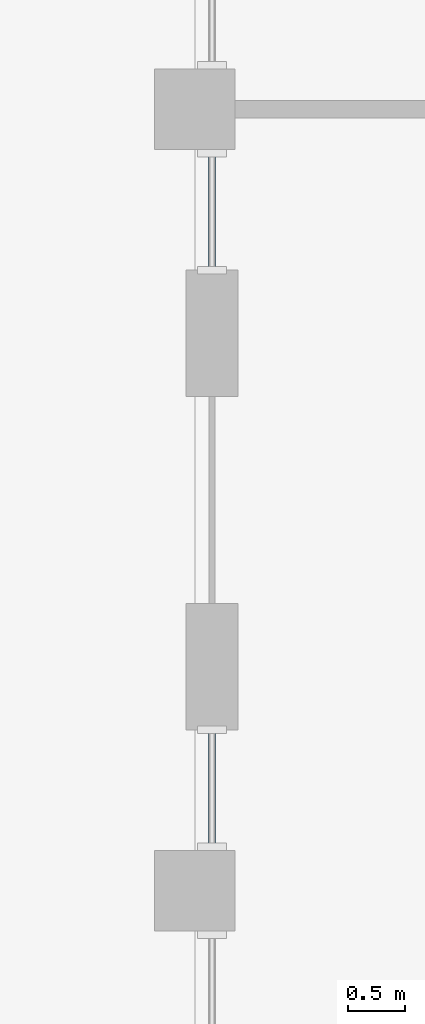
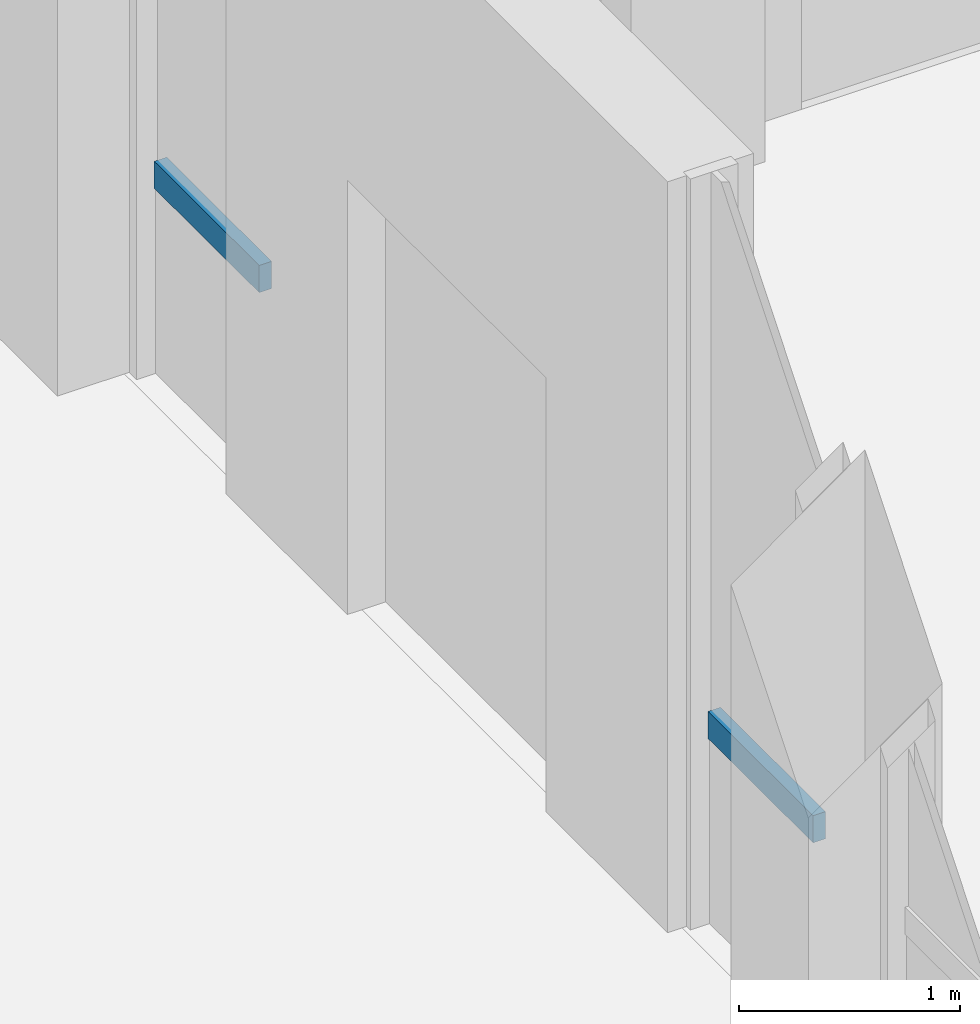
# One storey, part 6 of 15: 2 members, 2 elements without a shape of their own.
"""IFC4 building model written with IfcOpenShell, lengths in metres."""

from ifc_helpers import new_model, si_unit, direction, frame, origin, origin_2d, place, context, subcontext, project, spatial, rectangle, extrude, material, material_profile, profile_set, type_object, element, aggregate, save


model = new_model("IFC4")

# Units and contexts
model_context = context("Model", 3, precision=1e-05, world=origin(), true_north=direction((0.0, 1.0)))
body_context = subcontext(model_context, "Body", "Model", "MODEL_VIEW")
ifc_project = project(units=[si_unit("LENGTHUNIT", "METRE"), si_unit("AREAUNIT", "SQUARE_METRE"), si_unit("VOLUMEUNIT", "CUBIC_METRE"), si_unit("PLANEANGLEUNIT", "RADIAN"), si_unit("MASSUNIT", "GRAM", prefix="KILO")], contexts=[model_context])

# Site, building, storey
site_placement = place(None, origin())
site = spatial("IfcSite", under=ifc_project, at=site_placement, CompositionType="ELEMENT")
building_placement = place(site_placement, origin())
building = spatial("IfcBuilding", under=site, at=building_placement, Name="Turquesa Mirador Hotel Tower", CompositionType="ELEMENT")
storey_placement = place(building_placement, frame((0.0, 0.0, 16.0)))
storey = spatial("IfcBuildingStorey", under=building, at=storey_placement, Name="L03", CompositionType="ELEMENT", Elevation=16.0)

# Curtain wall, member
ifc_material_1 = material(Name="Aluminium extrusion", Category="aluminium")
curtain_wall_type = type_object("IfcCurtainWallType", Name="CW-3 PODIUM UPPER CURTAIN WALL", PredefinedType="USERDEFINED", material=ifc_material_1)
curtain_wall_1_placement = place(storey_placement, origin())
curtain_wall_1 = element("IfcCurtainWall", 1, at=curtain_wall_1_placement, inside=storey, type_object=curtain_wall_type, Name="CW-3 PODIUM UPPER CURTAIN WALL L03", ObjectType="CURTAIN WALL", PredefinedType="USERDEFINED")
ifc_material_2 = material(Name="Aluminium extrusion", Category="aluminium")
ifc_material_profile = material_profile(ifc_material_2, rectangle(XDim=0.06494140625, YDim=0.14990234375, at=origin_2d()), Name="TRANSOM 65X150")
ifc_profile_set = profile_set([ifc_material_profile], Name="Aluminium extrusion")
member_type = type_object("IfcMemberType", Name="CW TRANSOM 65X150", PredefinedType="USERDEFINED", material=ifc_profile_set)
member_1_placement = place(storey_placement, frame((27.14990234375, 32.782958984375, 1.10009765625), z_axis=(0.0, -1.0, 0.0), x_axis=(1.0, 0.0, 0.0)))
member_1 = element("IfcMember", 2, at=member_1_placement, type_object=member_type, Name="Transom", ObjectType="TRANSOM", PredefinedType="USERDEFINED", context=body_context, shape_type="SweptSolid", body=[
    extrude(rectangle(XDim=0.06494140625, YDim=0.14990234375, at=origin_2d()), origin(), (0.0, 0.0, 1.0), 0.950439453125),
])
aggregate(curtain_wall_1, [member_1])

curtain_wall_2_placement = place(storey_placement, origin())
curtain_wall_2 = element("IfcCurtainWall", 3, at=curtain_wall_2_placement, inside=storey, type_object=curtain_wall_type, Name="CW-3 PODIUM UPPER CURTAIN WALL L03", ObjectType="CURTAIN WALL", PredefinedType="USERDEFINED")
member_2_placement = place(storey_placement, frame((27.14990234375, 27.767578125, 1.10009765625), z_axis=(0.0, -1.0, 0.0), x_axis=(1.0, 0.0, 0.0)))
member_2 = element("IfcMember", 4, at=member_2_placement, type_object=member_type, Name="Transom", ObjectType="TRANSOM", PredefinedType="USERDEFINED", context=body_context, shape_type="SweptSolid", body=[
    extrude(rectangle(XDim=0.06494140625, YDim=0.14990234375, at=origin_2d()), origin(), (0.0, 0.0, 1.0), 0.95068359375),
])
aggregate(curtain_wall_2, [member_2])

save(model, "model.ifc")
